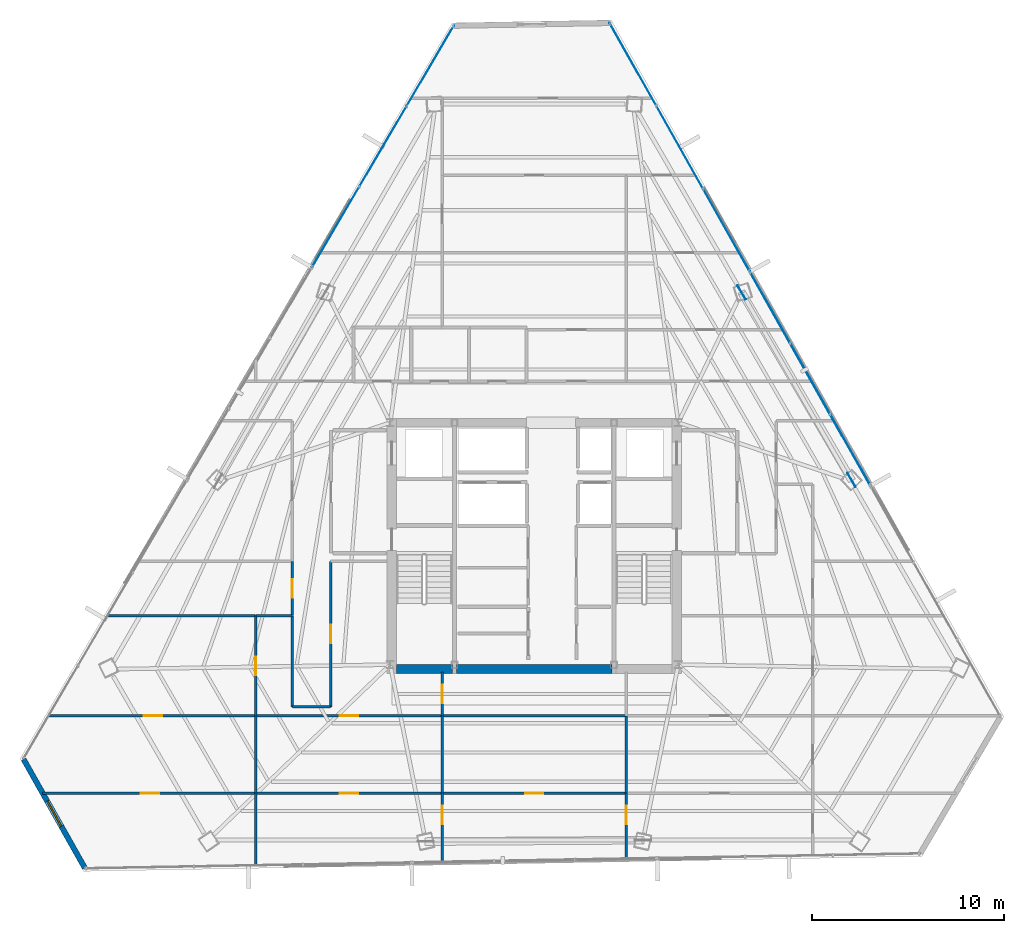
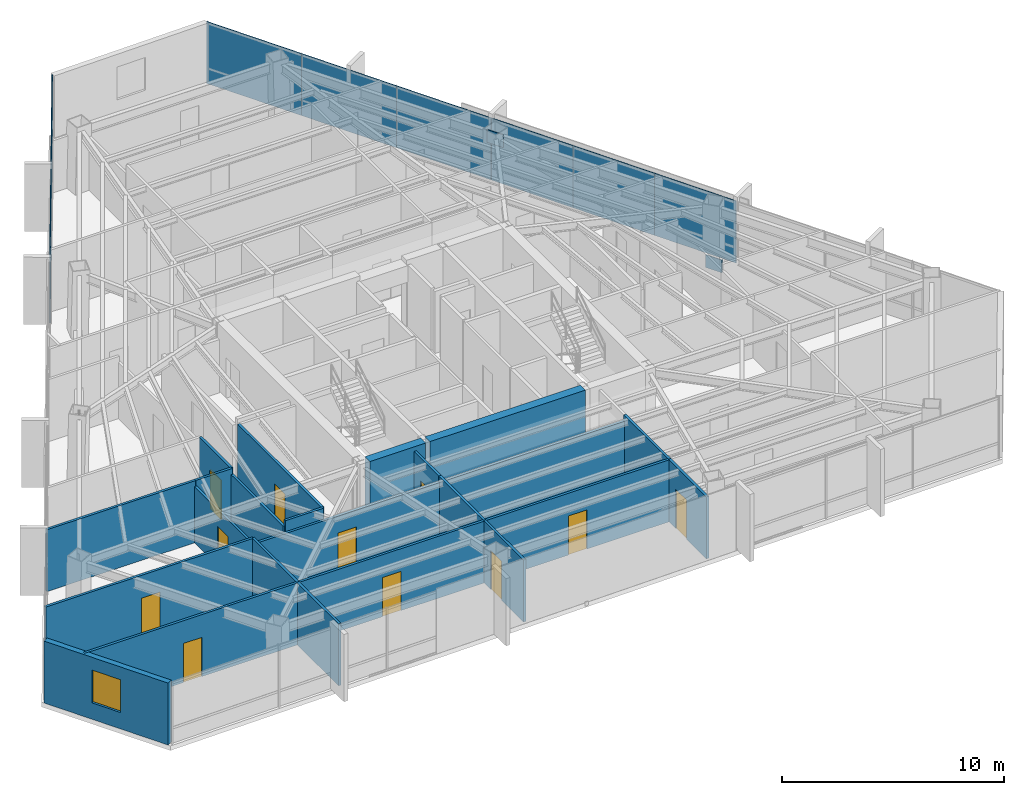
# One storey, part 36 of 44: 23 walls, 11 doors, 11 plates, 1 window, 12 openings, 3 elements without a shape of their own.
"""IFC4 building model written with IfcOpenShell, lengths in metres."""

from ifc_helpers import new_model, si_unit, direction, frame, frame_2d, origin, origin_2d, place, context, subcontext, project, spatial, rectangle, extrude, source, transform, mapped, material, layer, layer_set, type_object, type_shapes, element, fill, aggregate, save


model = new_model("IFC4")

# Units and contexts
model_context = context("Model", 3, precision=1e-05, world=origin(), true_north=direction((0.0, 1.0)))
body_context = subcontext(model_context, "Body", "Model", "MODEL_VIEW")
ifc_project = project(units=[si_unit("LENGTHUNIT", "METRE"), si_unit("AREAUNIT", "SQUARE_METRE"), si_unit("VOLUMEUNIT", "CUBIC_METRE"), si_unit("PLANEANGLEUNIT", "RADIAN"), si_unit("MASSUNIT", "GRAM", prefix="KILO")], contexts=[model_context])

# Site, building, storey
site_placement = place(None, origin())
site = spatial("IfcSite", under=ifc_project, at=site_placement, CompositionType="ELEMENT")
building_placement = place(site_placement, origin())
building = spatial("IfcBuilding", under=site, at=building_placement, Name="Caelisora Broadcast Tower", CompositionType="ELEMENT")
storey_placement = place(building_placement, frame((0.0, 0.0, 198.64990234375)))
storey = spatial("IfcBuildingStorey", under=building, at=storey_placement, Name="L52", CompositionType="ELEMENT", Elevation=198.64990234375)

# Plates
ifc_material_1 = material(Name="Steel Grade 350 L15 (AS/NZS 3678)", Category="steel")
ifc_layer_1 = layer(ifc_material_1, 0.0400390625, Name="Steel Grade 350 L15 (AS/NZS 3678)")
ifc_layer_set_1 = layer_set([ifc_layer_1], Name="Steel Grade 350 L15 (AS/NZS 3678)")
plate_type_1 = type_object("IfcPlateType", Name="GP04", PredefinedType="USERDEFINED", material=ifc_layer_set_1)
shared_shape_1 = source(origin(), body_context, "Body", "SweptSolid", [
    extrude(rectangle(XDim=0.85009765625, YDim=0.0400390625, at=origin_2d()), origin(), (0.0, 0.0, 1.0), 0.699951171875),
])
type_shapes(plate_type_1, [shared_shape_1])
for number, where, z_axis, x_axis, name in (
    (1, (54.51611328125, 27.01708984375, -0.22998046875), (0.0, 0.0, 1.0), (-0.5, 0.866025403784, 0.0), "L52 gusset plate GP04 (ND-L52-C10B)"),
    (2, (48.800048828125, 36.77294921875, 2.72998046875), (0.0, 0.0, 1.0), (-0.5, 0.866025403784, 0.0), "L52 gusset plate GP04 (ND-L52-C11T)"),
):
    element("IfcPlate", number, at=place(storey_placement, frame(where, z_axis=z_axis, x_axis=x_axis)), inside=storey, type_object=plate_type_1, Name=name, ObjectType="GUSSET PLATE", PredefinedType="USERDEFINED", context=body_context, shape_type="MappedRepresentation", body=[
        mapped(shared_shape_1, transform((0.0, 0.0, 0.0), scale=1.0)),
    ])

# Curtain wall, plates
ifc_material_2 = material(Name="Unitised Aluminium and Low-E Glass Curtain Wall", Category="glass")
curtain_wall_type_1 = type_object("IfcCurtainWallType", Name="CW-Z4", PredefinedType="NOTDEFINED", material=ifc_material_2)
curtain_wall_1_placement = place(storey_placement, origin())
curtain_wall_1 = element("IfcCurtainWall", 3, at=curtain_wall_1_placement, inside=storey, type_object=curtain_wall_type_1, Name="L52 curtain wall CW-Z4", PredefinedType="NOTDEFINED")
ifc_material_3 = material(Name="Double Glazed Low-E Argon IGU", Category="glass")
ifc_layer_2 = layer(ifc_material_3, 0.030029296875, Name="Double Glazed Low-E Argon IGU")
ifc_layer_set_2 = layer_set([ifc_layer_2], Name="Double Glazed Low-E Argon IGU")
plate_type_2 = type_object("IfcPlateType", Name="CWP-05", PredefinedType="CURTAIN_PANEL", material=ifc_layer_set_2)
shared_shape_2 = source(origin(), body_context, "Body", "SweptSolid", [
    extrude(rectangle(XDim=4.953369140625, YDim=0.030029296875, at=origin_2d()), origin(), (0.0, 0.0, 1.0), 3.39990234375),
])
plate_1_placement = place(storey_placement, frame((43.14306640625, 48.648193359375, 0.000244140625), z_axis=(0.0, 0.0, 1.0), x_axis=(0.490903753615, -0.87121381112, 0.0)))
plate_1 = element("IfcPlate", 4, at=plate_1_placement, type_object=plate_type_2, Name="L52-CW-B01 glazed panel #1", PredefinedType="CURTAIN_PANEL", context=body_context, shape_type="MappedRepresentation", body=[
    mapped(shared_shape_2, transform((0.0, 0.0, 0.0), scale=1.0)),
])
plate_2_placement = place(storey_placement, frame((45.574951171875, 44.3330078125, 0.000244140625), z_axis=(0.0, 0.0, 1.0), x_axis=(0.490903753615, -0.87121381112, 0.0)))
plate_2 = element("IfcPlate", 5, at=plate_2_placement, type_object=plate_type_2, Name="L52-CW-B01 glazed panel #2", PredefinedType="CURTAIN_PANEL", context=body_context, shape_type="MappedRepresentation", body=[
    mapped(shared_shape_2, transform((0.0, 0.0, 0.0), scale=1.0)),
])
plate_3_placement = place(storey_placement, frame((48.007080078125, 40.017578125, 0.000244140625), z_axis=(0.0, 0.0, 1.0), x_axis=(0.490903753615, -0.87121381112, 0.0)))
plate_3 = element("IfcPlate", 6, at=plate_3_placement, type_object=plate_type_2, Name="L52-CW-B01 glazed panel #3", PredefinedType="CURTAIN_PANEL", context=body_context, shape_type="MappedRepresentation", body=[
    mapped(shared_shape_2, transform((0.0, 0.0, 0.0), scale=1.0)),
])
aggregate(curtain_wall_1, [plate_1, plate_2, plate_3])

ifc_material_4 = material(Name="Unitised Aluminium Insulated Shadow-Box Spandrel Curtain Wall", Category="aluminium")
curtain_wall_type_2 = type_object("IfcCurtainWallType", Name="CW-SP2", PredefinedType="NOTDEFINED", material=ifc_material_4)
curtain_wall_2_placement = place(storey_placement, origin())
curtain_wall_2 = element("IfcCurtainWall", 7, at=curtain_wall_2_placement, inside=storey, type_object=curtain_wall_type_2, Name="L52 curtain wall CW-SP2", PredefinedType="NOTDEFINED")
ifc_material_5 = material(Name="Insulated Terracotta Shadow-Box Spandrel Panel", Category="aluminium")
ifc_layer_3 = layer(ifc_material_5, 0.0439453125, Name="Insulated Terracotta Shadow-Box Spandrel Panel")
ifc_layer_set_3 = layer_set([ifc_layer_3], Name="Insulated Terracotta Shadow-Box Spandrel Panel")
plate_type_3 = type_object("IfcPlateType", Name="CWP-10", PredefinedType="CURTAIN_PANEL", material=ifc_layer_set_3)
shared_shape_3 = source(origin(), body_context, "Body", "SweptSolid", [
    extrude(rectangle(XDim=4.260009765625, YDim=0.0439453125, at=origin_2d()), origin(), (0.0, 0.0, 1.0), 3.39990234375),
])
type_shapes(plate_type_3, [shared_shape_3])
plate_4_placement = place(storey_placement, frame((50.273681640625, 35.99560546875, 0.000244140625), z_axis=(0.0, 0.0, 1.0), x_axis=(0.490903753615, -0.87121381112, 0.0)))
plate_4 = element("IfcPlate", 8, at=plate_4_placement, type_object=plate_type_3, Name="L52-CW-B02 spandrel panel #1", PredefinedType="CURTAIN_PANEL", context=body_context, shape_type="MappedRepresentation", body=[
    mapped(shared_shape_3, transform((0.0, 0.0, 0.0), scale=1.0)),
])
plate_5_placement = place(storey_placement, frame((52.365234375, 32.284423828125, 0.000244140625), z_axis=(0.0, 0.0, 1.0), x_axis=(0.490903753615, -0.87121381112, 0.0)))
plate_5 = element("IfcPlate", 9, at=plate_5_placement, type_object=plate_type_3, Name="L52-CW-B02 spandrel panel #2", PredefinedType="CURTAIN_PANEL", context=body_context, shape_type="MappedRepresentation", body=[
    mapped(shared_shape_3, transform((0.0, 0.0, 0.0), scale=1.0)),
])
plate_6_placement = place(storey_placement, frame((54.456787109375, 28.5732421875, 0.000244140625), z_axis=(0.0, 0.0, 1.0), x_axis=(0.490903753615, -0.87121381112, 0.0)))
plate_6 = element("IfcPlate", 10, at=plate_6_placement, type_object=plate_type_3, Name="L52-CW-B02 spandrel panel #3", PredefinedType="CURTAIN_PANEL", context=body_context, shape_type="MappedRepresentation", body=[
    mapped(shared_shape_3, transform((0.0, 0.0, 0.0), scale=1.0)),
])
aggregate(curtain_wall_2, [plate_4, plate_5, plate_6])

curtain_wall_3_placement = place(storey_placement, origin())
curtain_wall_3 = element("IfcCurtainWall", 11, at=curtain_wall_3_placement, inside=storey, type_object=curtain_wall_type_1, Name="L52 curtain wall CW-Z4", PredefinedType="NOTDEFINED")
shared_shape_4 = source(origin(), body_context, "Body", "SweptSolid", [
    extrude(rectangle(XDim=4.86328125, YDim=0.030029296875, at=origin_2d()), origin(), (0.0, 0.0, 1.0), 3.39990234375),
])
type_shapes(plate_type_2, [shared_shape_2, shared_shape_4])
plate_7_placement = place(storey_placement, frame((27.66015625, 40.1787109375, 0.000244140625), z_axis=(0.0, 0.0, 1.0), x_axis=(0.506334807353, 0.862336977557, 0.0)))
plate_7 = element("IfcPlate", 12, at=plate_7_placement, type_object=plate_type_2, Name="L52-CW-B11 glazed panel #1", PredefinedType="CURTAIN_PANEL", context=body_context, shape_type="MappedRepresentation", body=[
    mapped(shared_shape_4, transform((0.0, 0.0, 0.0), scale=1.0)),
])
plate_8_placement = place(storey_placement, frame((30.122802734375, 44.372314453125, 0.000244140625), z_axis=(0.0, 0.0, 1.0), x_axis=(0.506334807353, 0.862336977557, 0.0)))
plate_8 = element("IfcPlate", 13, at=plate_8_placement, type_object=plate_type_2, Name="L52-CW-B11 glazed panel #2", PredefinedType="CURTAIN_PANEL", context=body_context, shape_type="MappedRepresentation", body=[
    mapped(shared_shape_4, transform((0.0, 0.0, 0.0), scale=1.0)),
])
plate_9_placement = place(storey_placement, frame((32.585693359375, 48.566162109375, 0.000244140625), z_axis=(0.0, 0.0, 1.0), x_axis=(0.506334807353, 0.862336977557, 0.0)))
plate_9 = element("IfcPlate", 14, at=plate_9_placement, type_object=plate_type_2, Name="L52-CW-B11 glazed panel #3", PredefinedType="CURTAIN_PANEL", context=body_context, shape_type="MappedRepresentation", body=[
    mapped(shared_shape_4, transform((0.0, 0.0, 0.0), scale=1.0)),
])
aggregate(curtain_wall_3, [plate_7, plate_8, plate_9])

# Walls
ifc_material_6 = material(Name="Concrete 50 MPa (AS 3600 S50)", Category="concrete")
ifc_layer_4 = layer(ifc_material_6, 0.449951171875, Name="Concrete 50 MPa (AS 3600 S50)")
ifc_layer_set_4 = layer_set([ifc_layer_4], Name="Concrete 50 MPa (AS 3600 S50)")
wall_type_1 = type_object("IfcWallType", Name="CW5", PredefinedType="SHEAR", material=ifc_layer_set_4)
wall_1_placement = place(storey_placement, frame((30.840087890625, 17.175048828125, 0.0), z_axis=(0.0, 0.0, 1.0), x_axis=(1.0, 0.0, 0.0)))
element("IfcWall", 15, at=wall_1_placement, inside=storey, type_object=wall_type_1, Name="L52 core shear wall CW5", PredefinedType="SHEAR", context=body_context, shape_type="SweptSolid", body=[
    extrude(rectangle(XDim=2.89990234375, YDim=0.449951171875, at=frame_2d((1.449951171875, 0.0))), origin(), (0.0, 0.0, 1.0), 3.650146484375),
])
wall_2_placement = place(storey_placement, frame((33.9599609375, 17.175048828125, 0.0), z_axis=(0.0, 0.0, 1.0), x_axis=(1.0, 0.0, 0.0)))
element("IfcWall", 16, at=wall_2_placement, inside=storey, type_object=wall_type_1, Name="L52 core shear wall CW5", PredefinedType="SHEAR", context=body_context, shape_type="SweptSolid", body=[
    extrude(rectangle(XDim=8.080078125, YDim=0.449951171875, at=frame_2d((4.0400390625, 0.0))), origin(), (0.0, 0.0, 1.0), 3.650146484375),
])

# Wall, opening, window
ifc_material_7 = material(Name="Insulated Terracotta Spandrel Wall System", Category="masonry")
ifc_layer_5 = layer(ifc_material_7, 0.280029296875, Name="Insulated Terracotta Spandrel Wall System")
ifc_layer_set_5 = layer_set([ifc_layer_5], Name="Insulated Terracotta Spandrel Wall System")
wall_type_2 = type_object("IfcWallType", Name="EW1", PredefinedType="STANDARD", material=ifc_layer_set_5)
wall_3_placement = place(storey_placement, frame((14.605224609375, 6.816162109375, 0.0), z_axis=(0.0, 0.0, 1.0), x_axis=(-0.490993338674, 0.871163326465, 0.0)))
wall_3 = element("IfcWall", 17, at=wall_3_placement, inside=storey, type_object=wall_type_2, Name="L52 exterior envelope wall EW1", PredefinedType="STANDARD", context=body_context, shape_type="SweptSolid", body=[
    extrude(rectangle(XDim=6.489990234375, YDim=0.280029296875, at=frame_2d((3.2451171875, 0.0))), origin(), (0.0, 0.0, 1.0), 3.400146484375),
])
opening_1_placement = place(wall_3_placement, frame((2.489990234375, 0.0, 0.89990234375)))
opening_1 = element("IfcOpeningElement", 18, at=opening_1_placement, cuts=wall_3, Name="Opening W02", PredefinedType="OPENING", context=body_context, shape_type="SweptSolid", body=[
    extrude(rectangle(XDim=1.5, YDim=1.800048828125, at=frame_2d((0.75, 0.89990234375))), frame((0.0, 0.152099609375, 0.0), z_axis=(0.0, -1.0, 0.0), x_axis=(1.0, 0.0, 0.0)), (0.0, 0.0, 1.0), 0.303955078125),
])
ifc_material_8 = material(Name="Double Glazed Terracotta-Framed Vision Window", Category="glass")
window_type = type_object("IfcWindowType", Name="W02", PartitioningType="SINGLE_PANEL", PredefinedType="WINDOW", material=ifc_material_8)
window_placement = place(opening_1_placement, origin())
window = element("IfcWindow", 19, at=window_placement, inside=storey, type_object=window_type, Name="L52 window W02 (L52-WN-CH4)", OverallHeight=1.800048828125, OverallWidth=1.5, PartitioningType="SINGLE_PANEL", PredefinedType="WINDOW", context=body_context, shape_type="SweptSolid", body=[
    extrude(rectangle(XDim=1.5, YDim=1.800048828125, at=frame_2d((0.75, 0.89990234375))), frame((0.0, 0.030029296875, 0.0), z_axis=(0.0, -1.0, 0.0), x_axis=(1.0, 0.0, 0.0)), (0.0, 0.0, 1.0), 0.06005859375),
])
fill(opening_1, window)

# Wall, opening, door
ifc_material_9 = material(Name="Acoustic Steel-Stud Plasterboard Partition", Category="gypsum")
ifc_layer_6 = layer(ifc_material_9, 0.1298828125, Name="Acoustic Steel-Stud Plasterboard Partition")
ifc_layer_set_6 = layer_set([ifc_layer_6], Name="Acoustic Steel-Stud Plasterboard Partition")
wall_type_3 = type_object("IfcWallType", Name="PW3", PredefinedType="PARTITIONING", material=ifc_layer_set_6)
wall_4_placement = place(storey_placement, frame((12.40478515625, 10.7099609375, 0.0), z_axis=(0.0, 0.0, 1.0), x_axis=(1.0, 0.0, 0.0)))
wall_4 = element("IfcWall", 20, at=wall_4_placement, inside=storey, type_object=wall_type_3, Name="L52 internal partition PW3", PredefinedType="PARTITIONING", context=body_context, shape_type="SweptSolid", body=[
    extrude(rectangle(XDim=11.09033203125, YDim=0.1298828125, at=frame_2d((5.545166015625, 0.0))), origin(), (0.0, 0.0, 1.0), 3.400146484375),
])
opening_2_placement = place(wall_4_placement, frame((5.116943359375, 0.0, 0.0)))
opening_2 = element("IfcOpeningElement", 21, at=opening_2_placement, cuts=wall_4, Name="Opening D01", PredefinedType="OPENING", context=body_context, shape_type="SweptSolid", body=[
    extrude(rectangle(XDim=0.9599609375, YDim=2.14990234375, at=frame_2d((0.47998046875, 1.074951171875))), frame((0.0, 0.076904296875, 0.0), z_axis=(0.0, -1.0, 0.0), x_axis=(1.0, 0.0, 0.0)), (0.0, 0.0, 1.0), 0.15380859375),
])
ifc_material_10 = material(Name="Solid-Core Timber Acoustic Office Door", Category="wood")
door_type = type_object("IfcDoorType", Name="D01", OperationType="NOTDEFINED", PredefinedType="DOOR", material=ifc_material_10)
door_1_placement = place(opening_2_placement, origin())
door_1 = element("IfcDoor", 22, at=door_1_placement, inside=storey, type_object=door_type, Name="L52 door D01 (L52-DR-P28D1)", OperationType="SINGLE_SWING_RIGHT", OverallHeight=2.14990234375, OverallWidth=0.9599609375, PredefinedType="DOOR", context=body_context, shape_type="SweptSolid", body=[
    extrude(rectangle(XDim=0.9599609375, YDim=2.14990234375, at=frame_2d((0.47998046875, 1.074951171875))), frame((0.0, 0.02490234375, 0.0), z_axis=(0.0, -1.0, 0.0), x_axis=(1.0, 0.0, 0.0)), (0.0, 0.0, 1.0), 0.050048828125),
])
fill(opening_2, door_1)

wall_5_placement = place(storey_placement, frame((12.7099609375, 14.72998046875, 0.0), z_axis=(0.0, 0.0, 1.0), x_axis=(1.0, 0.0, 0.0)))
wall_5 = element("IfcWall", 23, at=wall_5_placement, inside=storey, type_object=wall_type_3, Name="L52 internal partition PW3", PredefinedType="PARTITIONING", context=body_context, shape_type="SweptSolid", body=[
    extrude(rectangle(XDim=10.78515625, YDim=0.1298828125, at=frame_2d((5.392578125, 0.0))), origin(), (0.0, 0.0, 1.0), 3.400146484375),
])
opening_3_placement = place(wall_5_placement, frame((4.968017578125, 0.0, 0.0)))
opening_3 = element("IfcOpeningElement", 24, at=opening_3_placement, cuts=wall_5, Name="Opening D01", PredefinedType="OPENING", context=body_context, shape_type="SweptSolid", body=[
    extrude(rectangle(XDim=0.9599609375, YDim=2.14990234375, at=frame_2d((0.47998046875, 1.074951171875))), frame((0.0, 0.076904296875, 0.0), z_axis=(0.0, -1.0, 0.0), x_axis=(1.0, 0.0, 0.0)), (0.0, 0.0, 1.0), 0.15380859375),
])
door_2_placement = place(opening_3_placement, origin())
door_2 = element("IfcDoor", 25, at=door_2_placement, inside=storey, type_object=door_type, Name="L52 door D01 (L52-DR-P30D1)", OperationType="SINGLE_SWING_RIGHT", OverallHeight=2.14990234375, OverallWidth=0.9599609375, PredefinedType="DOOR", context=body_context, shape_type="SweptSolid", body=[
    extrude(rectangle(XDim=0.9599609375, YDim=2.14990234375, at=frame_2d((0.47998046875, 1.074951171875))), frame((0.0, 0.02490234375, 0.0), z_axis=(0.0, -1.0, 0.0), x_axis=(1.0, 0.0, 0.0)), (0.0, 0.0, 1.0), 0.050048828125),
])
fill(opening_3, door_2)

wall_6_placement = place(storey_placement, frame((23.5048828125, 14.72998046875, 0.0), z_axis=(0.0, 0.0, 1.0), x_axis=(1.0, 0.0, 0.0)))
wall_6 = element("IfcWall", 26, at=wall_6_placement, inside=storey, type_object=wall_type_3, Name="L52 internal partition PW3", PredefinedType="PARTITIONING", context=body_context, shape_type="SweptSolid", body=[
    extrude(rectangle(XDim=9.690185546875, YDim=0.1298828125, at=frame_2d((4.84521484375, 0.0))), origin(), (0.0, 0.0, 1.0), 3.077880859375),
])
opening_4_placement = place(wall_6_placement, frame((4.364990234375, 0.0, 0.0)))
opening_4 = element("IfcOpeningElement", 27, at=opening_4_placement, cuts=wall_6, Name="Opening D01", PredefinedType="OPENING", context=body_context, shape_type="SweptSolid", body=[
    extrude(rectangle(XDim=0.9599609375, YDim=2.14990234375, at=frame_2d((0.47998046875, 1.074951171875))), frame((0.0, 0.076904296875, 0.0), z_axis=(0.0, -1.0, 0.0), x_axis=(1.0, 0.0, 0.0)), (0.0, 0.0, 1.0), 0.15380859375),
])
door_3_placement = place(opening_4_placement, origin())
door_3 = element("IfcDoor", 28, at=door_3_placement, inside=storey, type_object=door_type, Name="L52 door D01 (L52-DR-P34D1)", OperationType="SINGLE_SWING_RIGHT", OverallHeight=2.14990234375, OverallWidth=0.9599609375, PredefinedType="DOOR", context=body_context, shape_type="SweptSolid", body=[
    extrude(rectangle(XDim=0.9599609375, YDim=2.14990234375, at=frame_2d((0.47998046875, 1.074951171875))), frame((0.0, 0.02490234375, 0.0), z_axis=(0.0, -1.0, 0.0), x_axis=(1.0, 0.0, 0.0)), (0.0, 0.0, 1.0), 0.050048828125),
])
fill(opening_4, door_3)

wall_7_placement = place(storey_placement, frame((23.5048828125, 10.7099609375, 0.0), z_axis=(0.0, 0.0, 1.0), x_axis=(1.0, 0.0, 0.0)))
wall_7 = element("IfcWall", 29, at=wall_7_placement, inside=storey, type_object=wall_type_3, Name="L52 internal partition PW3", PredefinedType="PARTITIONING", context=body_context, shape_type="SweptSolid", body=[
    extrude(rectangle(XDim=9.690185546875, YDim=0.1298828125, at=frame_2d((4.84521484375, 0.0))), origin(), (0.0, 0.0, 1.0), 3.400146484375),
])
opening_5_placement = place(wall_7_placement, frame((4.364990234375, 0.0, 0.0)))
opening_5 = element("IfcOpeningElement", 30, at=opening_5_placement, cuts=wall_7, Name="Opening D01", PredefinedType="OPENING", context=body_context, shape_type="SweptSolid", body=[
    extrude(rectangle(XDim=0.9599609375, YDim=2.14990234375, at=frame_2d((0.47998046875, 1.074951171875))), frame((0.0, 0.076904296875, 0.0), z_axis=(0.0, -1.0, 0.0), x_axis=(1.0, 0.0, 0.0)), (0.0, 0.0, 1.0), 0.15380859375),
])
door_4_placement = place(opening_5_placement, origin())
door_4 = element("IfcDoor", 31, at=door_4_placement, inside=storey, type_object=door_type, Name="L52 door D01 (L52-DR-P35D1)", OperationType="SINGLE_SWING_LEFT", OverallHeight=2.14990234375, OverallWidth=0.9599609375, PredefinedType="DOOR", context=body_context, shape_type="SweptSolid", body=[
    extrude(rectangle(XDim=0.9599609375, YDim=2.14990234375, at=frame_2d((0.47998046875, 1.074951171875))), frame((0.0, 0.02490234375, 0.0), z_axis=(0.0, -1.0, 0.0), x_axis=(1.0, 0.0, 0.0)), (0.0, 0.0, 1.0), 0.050048828125),
])
fill(opening_5, door_4)

wall_8_placement = place(storey_placement, frame((33.205078125, 10.7099609375, 0.0), z_axis=(0.0, 0.0, 1.0), x_axis=(1.0, 0.0, 0.0)))
wall_8 = element("IfcWall", 32, at=wall_8_placement, inside=storey, type_object=wall_type_3, Name="L52 internal partition PW3", PredefinedType="PARTITIONING", context=body_context, shape_type="SweptSolid", body=[
    extrude(rectangle(XDim=9.58984375, YDim=0.1298828125, at=frame_2d((4.794921875, 0.0))), origin(), (0.0, 0.0, 1.0), 3.400146484375),
])
opening_6_placement = place(wall_8_placement, frame((4.31494140625, 0.0, 0.0)))
opening_6 = element("IfcOpeningElement", 33, at=opening_6_placement, cuts=wall_8, Name="Opening D01", PredefinedType="OPENING", context=body_context, shape_type="SweptSolid", body=[
    extrude(rectangle(XDim=0.9599609375, YDim=2.14990234375, at=frame_2d((0.47998046875, 1.074951171875))), frame((0.0, 0.076904296875, 0.0), z_axis=(0.0, -1.0, 0.0), x_axis=(1.0, 0.0, 0.0)), (0.0, 0.0, 1.0), 0.15380859375),
])
door_5_placement = place(opening_6_placement, origin())
door_5 = element("IfcDoor", 34, at=door_5_placement, inside=storey, type_object=door_type, Name="L52 door D01 (L52-DR-P38D1)", OperationType="SINGLE_SWING_RIGHT", OverallHeight=2.14990234375, OverallWidth=0.9599609375, PredefinedType="DOOR", context=body_context, shape_type="SweptSolid", body=[
    extrude(rectangle(XDim=0.9599609375, YDim=2.14990234375, at=frame_2d((0.47998046875, 1.074951171875))), frame((0.0, 0.02490234375, 0.0), z_axis=(0.0, -1.0, 0.0), x_axis=(1.0, 0.0, 0.0)), (0.0, 0.0, 1.0), 0.050048828125),
])
fill(opening_6, door_5)

# Walls
wall_9_placement = place(storey_placement, frame((33.205078125, 14.72998046875, 0.0), z_axis=(0.0, 0.0, 1.0), x_axis=(1.0, 0.0, 0.0)))
element("IfcWall", 35, at=wall_9_placement, inside=storey, type_object=wall_type_3, Name="L52 internal partition PW3", PredefinedType="PARTITIONING", context=body_context, shape_type="SweptSolid", body=[
    extrude(rectangle(XDim=9.58984375, YDim=0.1298828125, at=frame_2d((4.794921875, 0.0))), origin(), (0.0, 0.0, 1.0), 3.077880859375),
])
wall_10_placement = place(storey_placement, frame((15.775390625, 19.949951171875, 0.0), z_axis=(0.0, 0.0, 1.0), x_axis=(1.0, 0.0, 0.0)))
element("IfcWall", 36, at=wall_10_placement, inside=storey, type_object=wall_type_3, Name="L52 internal partition PW3", PredefinedType="PARTITIONING", context=body_context, shape_type="SweptSolid", body=[
    extrude(rectangle(XDim=7.7197265625, YDim=0.1298828125, at=frame_2d((3.85986328125, 0.0))), origin(), (0.0, 0.0, 1.0), 3.400146484375),
])

# Wall, opening, door
wall_11_placement = place(storey_placement, frame((27.39990234375, 15.205078125, 0.0), z_axis=(0.0, 0.0, 1.0), x_axis=(0.0, 1.0, 0.0)))
wall_11 = element("IfcWall", 37, at=wall_11_placement, inside=storey, type_object=wall_type_3, Name="L52 internal partition PW3", PredefinedType="PARTITIONING", context=body_context, shape_type="SweptSolid", body=[
    extrude(rectangle(XDim=7.559814453125, YDim=0.1298828125, at=frame_2d((3.77978515625, 0.0))), origin(), (0.0, 0.0, 1.0), 3.400146484375),
])
opening_7_placement = place(wall_11_placement, frame((3.300048828125, 0.0, 0.0)))
opening_7 = element("IfcOpeningElement", 38, at=opening_7_placement, cuts=wall_11, Name="Opening D01", PredefinedType="OPENING", context=body_context, shape_type="SweptSolid", body=[
    extrude(rectangle(XDim=0.9599609375, YDim=2.14990234375, at=frame_2d((0.47998046875, 1.074951171875))), frame((0.0, 0.076904296875, 0.0), z_axis=(0.0, -1.0, 0.0), x_axis=(1.0, 0.0, 0.0)), (0.0, 0.0, 1.0), 0.15380859375),
])
door_6_placement = place(opening_7_placement, origin())
door_6 = element("IfcDoor", 39, at=door_6_placement, inside=storey, type_object=door_type, Name="L52 door D01 (L52-DR-P46D1)", OperationType="SINGLE_SWING_LEFT", OverallHeight=2.14990234375, OverallWidth=0.9599609375, PredefinedType="DOOR", context=body_context, shape_type="SweptSolid", body=[
    extrude(rectangle(XDim=0.9599609375, YDim=2.14990234375, at=frame_2d((0.47998046875, 1.074951171875))), frame((0.0, 0.02490234375, 0.0), z_axis=(0.0, -1.0, 0.0), x_axis=(1.0, 0.0, 0.0)), (0.0, 0.0, 1.0), 0.050048828125),
])
fill(opening_7, door_6)

wall_12_placement = place(storey_placement, frame((23.5, 14.735107421875, 0.0), z_axis=(0.0, 0.0, 1.0), x_axis=(0.0, 1.0, 0.0)))
wall_12 = element("IfcWall", 40, at=wall_12_placement, inside=storey, type_object=wall_type_3, Name="L52 internal partition PW3", PredefinedType="PARTITIONING", context=body_context, shape_type="SweptSolid", body=[
    extrude(rectangle(XDim=5.2099609375, YDim=0.1298828125, at=frame_2d((2.60498046875, 0.0))), origin(), (0.0, 0.0, 1.0), 3.077880859375),
])
opening_8_placement = place(wall_12_placement, frame((2.125, 0.0, 0.0)))
opening_8 = element("IfcOpeningElement", 41, at=opening_8_placement, cuts=wall_12, Name="Opening D01", PredefinedType="OPENING", context=body_context, shape_type="SweptSolid", body=[
    extrude(rectangle(XDim=0.9599609375, YDim=2.14990234375, at=frame_2d((0.47998046875, 1.074951171875))), frame((0.0, 0.076904296875, 0.0), z_axis=(0.0, -1.0, 0.0), x_axis=(1.0, 0.0, 0.0)), (0.0, 0.0, 1.0), 0.15380859375),
])
door_7_placement = place(opening_8_placement, origin())
door_7 = element("IfcDoor", 42, at=door_7_placement, inside=storey, type_object=door_type, Name="L52 door D01 (L52-DR-P54D1)", OperationType="SINGLE_SWING_RIGHT", OverallHeight=2.14990234375, OverallWidth=0.9599609375, PredefinedType="DOOR", context=body_context, shape_type="SweptSolid", body=[
    extrude(rectangle(XDim=0.9599609375, YDim=2.14990234375, at=frame_2d((0.47998046875, 1.074951171875))), frame((0.0, 0.02490234375, 0.0), z_axis=(0.0, -1.0, 0.0), x_axis=(1.0, 0.0, 0.0)), (0.0, 0.0, 1.0), 0.050048828125),
])
fill(opening_8, door_7)

# Walls
wall_13_placement = place(storey_placement, frame((25.39990234375, 19.945068359375, 0.0), z_axis=(0.0, 0.0, 1.0), x_axis=(0.0, -1.0, 0.0)))
element("IfcWall", 43, at=wall_13_placement, inside=storey, type_object=wall_type_3, Name="L52 internal partition PW3", PredefinedType="PARTITIONING", context=body_context, shape_type="SweptSolid", body=[
    extrude(rectangle(XDim=4.739990234375, YDim=0.1298828125, at=frame_2d((2.3701171875, 0.0))), origin(), (0.0, 0.0, 1.0), 3.077880859375),
])
for number, where, z_axis, x_axis, name in (
    (44, (23.5, 10.715087890625, 0.0), (0.0, 0.0, 1.0), (0.0, 1.0, 0.0), "L52 internal partition PW3"),
    (45, (33.199951171875, 10.715087890625, 0.0), (0.0, 0.0, 1.0), (0.0, 1.0, 0.0), "L52 internal partition PW3"),
    (46, (42.800048828125, 10.715087890625, 0.0), (0.0, 0.0, 1.0), (0.0, 1.0, 0.0), "L52 internal partition PW3"),
):
    element("IfcWall", number, at=place(storey_placement, frame(where, z_axis=z_axis, x_axis=x_axis)), inside=storey, type_object=wall_type_3, Name=name, PredefinedType="PARTITIONING", context=body_context, shape_type="SweptSolid", body=[
        extrude(rectangle(XDim=4.010009765625, YDim=0.1298828125, at=frame_2d((2.0048828125, 0.0))), origin(), (0.0, 0.0, 1.0), 3.400146484375),
    ])
wall_14_placement = place(storey_placement, frame((23.5, 6.94287109375, 0.0), z_axis=(0.0, 0.0, 1.0), x_axis=(0.0, 1.0, 0.0)))
element("IfcWall", 47, at=wall_14_placement, inside=storey, type_object=wall_type_3, Name="L52 internal partition PW3", PredefinedType="PARTITIONING", context=body_context, shape_type="SweptSolid", body=[
    extrude(rectangle(XDim=3.76220703125, YDim=0.1298828125, at=frame_2d((1.881103515625, 0.0))), origin(), (0.0, 0.0, 1.0), 3.400146484375),
])

# Wall, opening, door
wall_15_placement = place(storey_placement, frame((33.199951171875, 7.11572265625, 0.0), z_axis=(0.0, 0.0, 1.0), x_axis=(0.0, 1.0, 0.0)))
wall_15 = element("IfcWall", 48, at=wall_15_placement, inside=storey, type_object=wall_type_3, Name="L52 internal partition PW3", PredefinedType="PARTITIONING", context=body_context, shape_type="SweptSolid", body=[
    extrude(rectangle(XDim=3.58935546875, YDim=0.1298828125, at=frame_2d((1.794677734375, 0.0))), origin(), (0.0, 0.0, 1.0), 3.400146484375),
])
opening_9_placement = place(wall_15_placement, frame((1.97998046875, 0.0, 0.0)))
opening_9 = element("IfcOpeningElement", 49, at=opening_9_placement, cuts=wall_15, Name="Opening D01", PredefinedType="OPENING", context=body_context, shape_type="SweptSolid", body=[
    extrude(rectangle(XDim=0.9599609375, YDim=2.14990234375, at=frame_2d((0.47998046875, 1.074951171875))), frame((0.0, 0.076904296875, 0.0), z_axis=(0.0, -1.0, 0.0), x_axis=(1.0, 0.0, 0.0)), (0.0, 0.0, 1.0), 0.15380859375),
])
door_8_placement = place(opening_9_placement, origin())
door_8 = element("IfcDoor", 50, at=door_8_placement, inside=storey, type_object=door_type, Name="L52 door D01 (L52-DR-P73D1)", OperationType="SINGLE_SWING_RIGHT", OverallHeight=2.14990234375, OverallWidth=0.9599609375, PredefinedType="DOOR", context=body_context, shape_type="SweptSolid", body=[
    extrude(rectangle(XDim=0.9599609375, YDim=2.14990234375, at=frame_2d((0.47998046875, 1.074951171875))), frame((0.0, 0.02490234375, 0.0), z_axis=(0.0, -1.0, 0.0), x_axis=(1.0, 0.0, 0.0)), (0.0, 0.0, 1.0), 0.050048828125),
])
fill(opening_9, door_8)

wall_16_placement = place(storey_placement, frame((42.800048828125, 7.286865234375, 0.0), z_axis=(0.0, 0.0, 1.0), x_axis=(0.0, 1.0, 0.0)))
wall_16 = element("IfcWall", 51, at=wall_16_placement, inside=storey, type_object=wall_type_3, Name="L52 internal partition PW3", PredefinedType="PARTITIONING", context=body_context, shape_type="SweptSolid", body=[
    extrude(rectangle(XDim=3.418212890625, YDim=0.1298828125, at=frame_2d((1.708984375, 0.0))), origin(), (0.0, 0.0, 1.0), 3.400146484375),
])
opening_10_placement = place(wall_16_placement, frame((1.800048828125, 0.0, 0.0)))
opening_10 = element("IfcOpeningElement", 52, at=opening_10_placement, cuts=wall_16, Name="Opening D01", PredefinedType="OPENING", context=body_context, shape_type="SweptSolid", body=[
    extrude(rectangle(XDim=0.9599609375, YDim=2.14990234375, at=frame_2d((0.47998046875, 1.074951171875))), frame((0.0, 0.076904296875, 0.0), z_axis=(0.0, -1.0, 0.0), x_axis=(1.0, 0.0, 0.0)), (0.0, 0.0, 1.0), 0.15380859375),
])
door_9_placement = place(opening_10_placement, origin())
door_9 = element("IfcDoor", 53, at=door_9_placement, inside=storey, type_object=door_type, Name="L52 door D01 (L52-DR-P75D1)", OperationType="SINGLE_SWING_RIGHT", OverallHeight=2.14990234375, OverallWidth=0.9599609375, PredefinedType="DOOR", context=body_context, shape_type="SweptSolid", body=[
    extrude(rectangle(XDim=0.9599609375, YDim=2.14990234375, at=frame_2d((0.47998046875, 1.074951171875))), frame((0.0, 0.02490234375, 0.0), z_axis=(0.0, -1.0, 0.0), x_axis=(1.0, 0.0, 0.0)), (0.0, 0.0, 1.0), 0.050048828125),
])
fill(opening_10, door_9)

wall_17_placement = place(storey_placement, frame((25.39990234375, 19.955078125, 0.0), z_axis=(0.0, 0.0, 1.0), x_axis=(0.0, 1.0, 0.0)))
wall_17 = element("IfcWall", 54, at=wall_17_placement, inside=storey, type_object=wall_type_3, Name="L52 internal partition PW3", PredefinedType="PARTITIONING", context=body_context, shape_type="SweptSolid", body=[
    extrude(rectangle(XDim=2.809814453125, YDim=0.1298828125, at=frame_2d((1.40478515625, 0.0))), origin(), (0.0, 0.0, 1.0), 3.400146484375),
])
opening_11_placement = place(wall_17_placement, frame((0.925048828125, 0.0, 0.0)))
opening_11 = element("IfcOpeningElement", 55, at=opening_11_placement, cuts=wall_17, Name="Opening D01", PredefinedType="OPENING", context=body_context, shape_type="SweptSolid", body=[
    extrude(rectangle(XDim=0.9599609375, YDim=2.14990234375, at=frame_2d((0.47998046875, 1.074951171875))), frame((0.0, 0.076904296875, 0.0), z_axis=(0.0, -1.0, 0.0), x_axis=(1.0, 0.0, 0.0)), (0.0, 0.0, 1.0), 0.15380859375),
])
door_10_placement = place(opening_11_placement, origin())
door_10 = element("IfcDoor", 56, at=door_10_placement, inside=storey, type_object=door_type, Name="L52 door D01 (L52-DR-P80D1)", OperationType="SINGLE_SWING_LEFT", OverallHeight=2.14990234375, OverallWidth=0.9599609375, PredefinedType="DOOR", context=body_context, shape_type="SweptSolid", body=[
    extrude(rectangle(XDim=0.9599609375, YDim=2.14990234375, at=frame_2d((0.47998046875, 1.074951171875))), frame((0.0, 0.02490234375, 0.0), z_axis=(0.0, -1.0, 0.0), x_axis=(1.0, 0.0, 0.0)), (0.0, 0.0, 1.0), 0.050048828125),
])
fill(opening_11, door_10)

wall_18_placement = place(storey_placement, frame((33.199951171875, 14.735107421875, 0.0), z_axis=(0.0, 0.0, 1.0), x_axis=(0.0, 1.0, 0.0)))
wall_18 = element("IfcWall", 57, at=wall_18_placement, inside=storey, type_object=wall_type_3, Name="L52 internal partition PW3", PredefinedType="PARTITIONING", context=body_context, shape_type="SweptSolid", body=[
    extrude(rectangle(XDim=2.289794921875, YDim=0.1298828125, at=frame_2d((1.14501953125, 0.0))), origin(), (0.0, 0.0, 1.0), 3.400146484375),
])
opening_12_placement = place(wall_18_placement, frame((0.6650390625, 0.0, 0.0)))
opening_12 = element("IfcOpeningElement", 58, at=opening_12_placement, cuts=wall_18, Name="Opening D01", PredefinedType="OPENING", context=body_context, shape_type="SweptSolid", body=[
    extrude(rectangle(XDim=0.9599609375, YDim=2.14990234375, at=frame_2d((0.47998046875, 1.074951171875))), frame((0.0, 0.076904296875, 0.0), z_axis=(0.0, -1.0, 0.0), x_axis=(1.0, 0.0, 0.0)), (0.0, 0.0, 1.0), 0.15380859375),
])
door_11_placement = place(opening_12_placement, origin())
door_11 = element("IfcDoor", 59, at=door_11_placement, inside=storey, type_object=door_type, Name="L52 door D01 (L52-DR-P83D1)", OperationType="SINGLE_SWING_LEFT", OverallHeight=2.14990234375, OverallWidth=0.9599609375, PredefinedType="DOOR", context=body_context, shape_type="SweptSolid", body=[
    extrude(rectangle(XDim=0.9599609375, YDim=2.14990234375, at=frame_2d((0.47998046875, 1.074951171875))), frame((0.0, 0.02490234375, 0.0), z_axis=(0.0, -1.0, 0.0), x_axis=(1.0, 0.0, 0.0)), (0.0, 0.0, 1.0), 0.050048828125),
])
fill(opening_12, door_11)

# Walls
wall_19_placement = place(storey_placement, frame((25.405029296875, 15.199951171875, 0.0), z_axis=(0.0, 0.0, 1.0), x_axis=(1.0, 0.0, 0.0)))
element("IfcWall", 60, at=wall_19_placement, inside=storey, type_object=wall_type_3, Name="L52 internal partition PW3", PredefinedType="PARTITIONING", context=body_context, shape_type="SweptSolid", body=[
    extrude(rectangle(XDim=1.989990234375, YDim=0.1298828125, at=frame_2d((0.9951171875, 0.0))), origin(), (0.0, 0.0, 1.0), 3.400146484375),
])
wall_20_placement = place(storey_placement, frame((23.5048828125, 19.949951171875, 0.0), z_axis=(0.0, 0.0, 1.0), x_axis=(1.0, 0.0, 0.0)))
element("IfcWall", 61, at=wall_20_placement, inside=storey, type_object=wall_type_3, Name="L52 internal partition PW3", PredefinedType="PARTITIONING", context=body_context, shape_type="SweptSolid", body=[
    extrude(rectangle(XDim=1.89013671875, YDim=0.1298828125, at=frame_2d((0.945068359375, 0.0))), origin(), (0.0, 0.0, 1.0), 3.400146484375),
])

save(model, "model.ifc")
